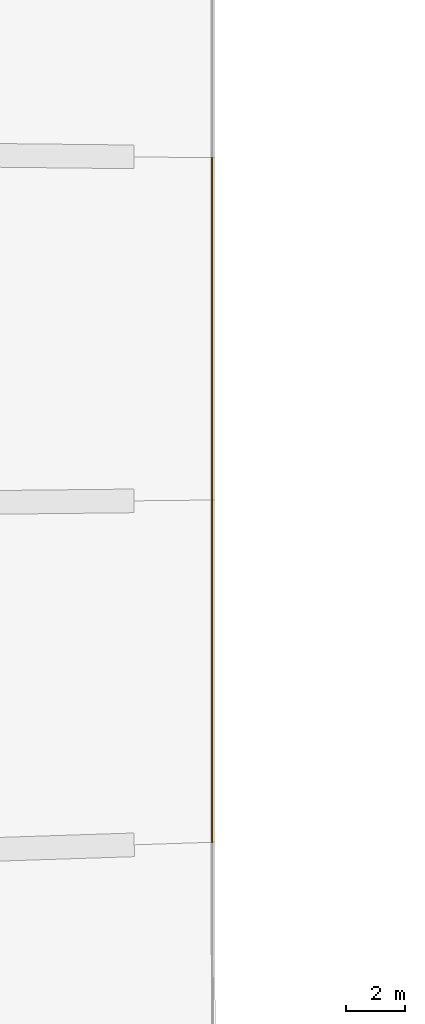
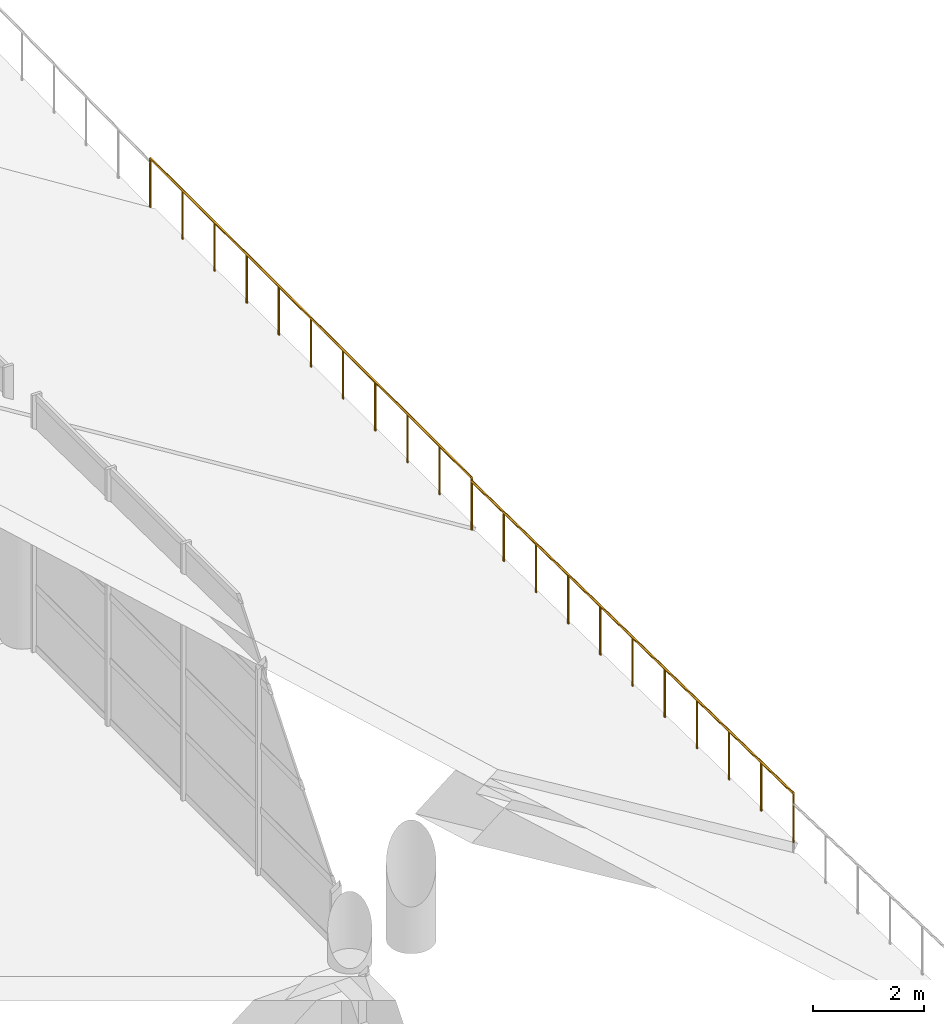
# One storey, part 214 of 249: 2 railings.
"""IFC4 building model written with IfcOpenShell, lengths in metres."""

from ifc_helpers import new_model, si_unit, direction, frame, origin, origin_2d, place, context, subcontext, project, spatial, circle, extrude, material, type_object, element, save


model = new_model("IFC4")

# Units and contexts
model_context = context("Model", 3, precision=1e-05, world=origin(), true_north=direction((0.0, 1.0)))
body_context = subcontext(model_context, "Body", "Model", "MODEL_VIEW")
ifc_project = project(units=[si_unit("LENGTHUNIT", "METRE"), si_unit("AREAUNIT", "SQUARE_METRE"), si_unit("VOLUMEUNIT", "CUBIC_METRE"), si_unit("PLANEANGLEUNIT", "RADIAN"), si_unit("MASSUNIT", "GRAM", prefix="KILO")], contexts=[model_context])

# Site, building, storey
site_placement = place(None, origin())
site = spatial("IfcSite", under=ifc_project, at=site_placement, CompositionType="ELEMENT")
building_placement = place(site_placement, origin())
building = spatial("IfcBuilding", under=site, at=building_placement, Name="Meseta Stadium", CompositionType="ELEMENT")
storey_placement = place(building_placement, frame((0.0, 0.0, 12.0)))
storey = spatial("IfcBuildingStorey", under=building, at=storey_placement, Name="L02", CompositionType="ELEMENT", Elevation=12.0)

# Railings
ifc_material = material(Name="Steel S355", Category="steel")
railing_type = type_object("IfcRailingType", Name="Stand edge guard 1100", PredefinedType="GUARDRAIL", material=ifc_material)
railing_1_placement = place(storey_placement, frame((-55.4990234375, 5.783935546875, -0.9375)))
element("IfcRailing", 1, at=railing_1_placement, inside=storey, type_object=railing_type, Name="Stand upper tier front guard bay 33", PredefinedType="GUARDRAIL", context=body_context, shape_type="SweptSolid", body=[
    extrude(circle(Radius=0.02490234375, at=origin_2d()), frame((0.0, 0.0, 1.0751953125), z_axis=(0.0, -1.0, 0.0), x_axis=(1.0, 0.0, 0.0)), (0.0, 0.0, 1.0), 11.56787109375),
    extrude(circle(Radius=0.02001953125, at=origin_2d()), origin(), (0.0, 0.0, 1.0), 1.050048828125),
    extrude(circle(Radius=0.02001953125, at=origin_2d()), frame((0.0, -1.15673828125, 0.0)), (0.0, 0.0, 1.0), 1.050048828125),
    extrude(circle(Radius=0.02001953125, at=origin_2d()), frame((0.0, -2.3134765625, 0.0)), (0.0, 0.0, 1.0), 1.050048828125),
    extrude(circle(Radius=0.02001953125, at=origin_2d()), frame((0.0, -3.470458984375, 0.0)), (0.0, 0.0, 1.0), 1.050048828125),
    extrude(circle(Radius=0.02001953125, at=origin_2d()), frame((0.0, -4.627197265625, 0.0)), (0.0, 0.0, 1.0), 1.050048828125),
    extrude(circle(Radius=0.02001953125, at=origin_2d()), frame((0.0, -5.783935546875, 0.0)), (0.0, 0.0, 1.0), 1.050048828125),
    extrude(circle(Radius=0.02001953125, at=origin_2d()), frame((0.0, -6.940673828125, 0.0)), (0.0, 0.0, 1.0), 1.050048828125),
    extrude(circle(Radius=0.02001953125, at=origin_2d()), frame((0.0, -8.097412109375, 0.0)), (0.0, 0.0, 1.0), 1.050048828125),
    extrude(circle(Radius=0.02001953125, at=origin_2d()), frame((0.0, -9.25439453125, 0.0)), (0.0, 0.0, 1.0), 1.050048828125),
    extrude(circle(Radius=0.02001953125, at=origin_2d()), frame((0.0, -10.4111328125, 0.0)), (0.0, 0.0, 1.0), 1.050048828125),
    extrude(circle(Radius=0.02001953125, at=origin_2d()), frame((0.0, -11.56787109375, 0.0)), (0.0, 0.0, 1.0), 1.050048828125),
])
railing_2_placement = place(storey_placement, frame((-55.4990234375, -5.783935546875, -1.0146484375)))
element("IfcRailing", 2, at=railing_2_placement, inside=storey, type_object=railing_type, Name="Stand upper tier front guard bay 34", PredefinedType="GUARDRAIL", context=body_context, shape_type="SweptSolid", body=[
    extrude(circle(Radius=0.02490234375, at=origin_2d()), frame((0.0, 0.0, 1.0751953125), z_axis=(0.000590889044, -0.999910880871, 0.013337209842), x_axis=(0.999999825394, 0.000590941605, 0.0)), (0.0, 0.0, 1.0), 11.56884765625),
    extrude(circle(Radius=0.02001953125, at=origin_2d()), origin(), (0.0, 0.0, 1.0), 1.050048828125),
    extrude(circle(Radius=0.02001953125, at=origin_2d()), frame((0.000732421875, -1.15673828125, 0.015380859375)), (0.0, 0.0, 1.0), 1.050048828125),
    extrude(circle(Radius=0.02001953125, at=origin_2d()), frame((0.00146484375, -2.3134765625, 0.03076171875)), (0.0, 0.0, 1.0), 1.050048828125),
    extrude(circle(Radius=0.02001953125, at=origin_2d()), frame((0.001953125, -3.470458984375, 0.04638671875)), (0.0, 0.0, 1.0), 1.050048828125),
    extrude(circle(Radius=0.02001953125, at=origin_2d()), frame((0.002685546875, -4.627197265625, 0.061767578125)), (0.0, 0.0, 1.0), 1.050048828125),
    extrude(circle(Radius=0.02001953125, at=origin_2d()), frame((0.00341796875, -5.783935546875, 0.0771484375)), (0.0, 0.0, 1.0), 1.050048828125),
    extrude(circle(Radius=0.02001953125, at=origin_2d()), frame((0.004150390625, -6.940673828125, 0.092529296875)), (0.0, 0.0, 1.0), 1.050048828125),
    extrude(circle(Radius=0.02001953125, at=origin_2d()), frame((0.0048828125, -8.097412109375, 0.10791015625)), (0.0, 0.0, 1.0), 1.050048828125),
    extrude(circle(Radius=0.02001953125, at=origin_2d()), frame((0.00537109375, -9.25439453125, 0.12353515625)), (0.0, 0.0, 1.0), 1.050048828125),
    extrude(circle(Radius=0.02001953125, at=origin_2d()), frame((0.006103515625, -10.4111328125, 0.138916015625)), (0.0, 0.0, 1.0), 1.050048828125),
    extrude(circle(Radius=0.02001953125, at=origin_2d()), frame((0.0068359375, -11.56787109375, 0.154296875)), (0.0, 0.0, 1.0), 1.050048828125),
])

save(model, "model.ifc")
